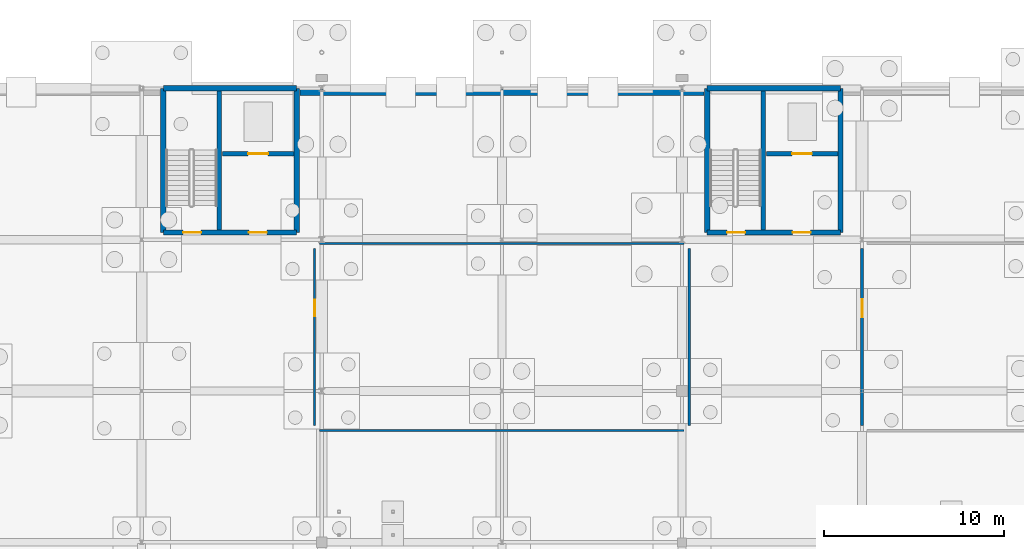
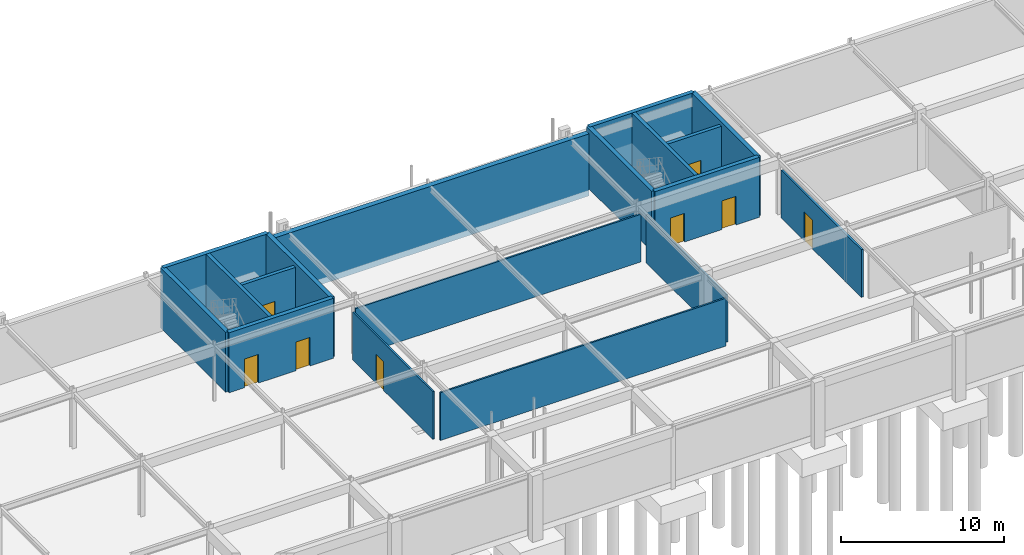
# One storey, part 65 of 75: 18 walls, 8 doors, 8 openings.
"""IFC4 building model written with IfcOpenShell, lengths in metres."""

from ifc_helpers import new_model, si_unit, derived_unit, direction, frame, frame_2d, origin, place, context, subcontext, project, spatial, rectangle, extrude, material, layer, layer_set, type_object, element, fill, save


model = new_model("IFC4")

# Units and contexts
model_context = context("Model", 3, precision=1e-05, world=origin(), true_north=direction((0.0, 1.0)))
body_context = subcontext(model_context, "Body", "Model", "MODEL_VIEW")
ifc_project = project(units=[si_unit("LENGTHUNIT", "METRE"), si_unit("AREAUNIT", "SQUARE_METRE"), si_unit("VOLUMEUNIT", "CUBIC_METRE"), si_unit("PLANEANGLEUNIT", "RADIAN"), si_unit("MASSUNIT", "GRAM", prefix="KILO"), derived_unit("THERMALTRANSMITTANCEUNIT", [(si_unit("POWERUNIT", "WATT"), 1), (si_unit("LENGTHUNIT", "METRE"), -2), (si_unit("THERMODYNAMICTEMPERATUREUNIT", "KELVIN"), -1)])], contexts=[model_context])

# Site, building, storey
site_placement = place(None, origin())
site = spatial("IfcSite", under=ifc_project, at=site_placement, CompositionType="ELEMENT")
building_placement = place(site_placement, origin())
building = spatial("IfcBuilding", under=site, at=building_placement, Name="Cinnabar Yard Market Hall", CompositionType="ELEMENT")
storey_placement = place(building_placement, frame((0.0, 0.0, -4.5)))
storey = spatial("IfcBuildingStorey", under=building, at=storey_placement, Name="B1", CompositionType="ELEMENT", Elevation=-4.5)

# Walls
ifc_material_1 = material(Name="Acoustic steel-stud plasterboard", Category="steel")
ifc_layer_1 = layer(ifc_material_1, 0.1201171875)
ifc_layer_set_1 = layer_set([ifc_layer_1], Name="Acoustic steel-stud plasterboard")
wall_type_1 = type_object("IfcWallType", Name="WL-PT120", PredefinedType="PARTITIONING", material=ifc_layer_set_1)
wall_1_placement = place(storey_placement, frame((105.8798828125, 119.0, 0.0), z_axis=(0.0, 0.0, 1.0), x_axis=(1.0, 0.0, 0.0)))
element("IfcWall", 1, at=wall_1_placement, inside=storey, type_object=wall_type_1, Name="Partition Culinary School Bulk Dry Store south", PredefinedType="PARTITIONING", context=body_context, shape_type="SweptSolid", body=[
    extrude(rectangle(XDim=20.240234375, YDim=0.1201171875, at=frame_2d((10.1201171875, 0.0), x_axis=(1.0, 0.0))), origin(), (0.0, 0.0, 1.0), 3.580078125),
])
wall_2_placement = place(storey_placement, frame((126.39990234375, 119.280029296875, 0.0), z_axis=(0.0, 0.0, 1.0), x_axis=(0.0, 1.0, 0.0)))
element("IfcWall", 2, at=wall_2_placement, inside=storey, type_object=wall_type_1, Name="Partition Culinary School Bulk Dry Store east", PredefinedType="PARTITIONING", context=body_context, shape_type="SweptSolid", body=[
    extrude(rectangle(XDim=9.840087890625, YDim=0.1201171875, at=frame_2d((4.919921875, 0.0), x_axis=(1.0, 0.0))), origin(), (0.0, 0.0, 1.0), 3.580078125),
])
wall_3_placement = place(storey_placement, frame((126.1201171875, 129.39990234375, 0.0), z_axis=(0.0, 0.0, 1.0), x_axis=(-1.0, 0.0, 0.0)))
element("IfcWall", 3, at=wall_3_placement, inside=storey, type_object=wall_type_1, Name="Partition Culinary School Bulk Dry Store north", PredefinedType="PARTITIONING", context=body_context, shape_type="SweptSolid", body=[
    extrude(rectangle(XDim=20.240234375, YDim=0.1201171875, at=frame_2d((10.1201171875, 0.0), x_axis=(1.0, 0.0))), origin(), (0.0, 0.0, 1.0), 3.580078125),
])

# Wall, opening, door
wall_4_placement = place(storey_placement, frame((105.60009765625, 129.1201171875, 0.0), z_axis=(0.0, 0.0, 1.0), x_axis=(0.0, -1.0, 0.0)))
wall_4 = element("IfcWall", 4, at=wall_4_placement, inside=storey, type_object=wall_type_1, Name="Partition Culinary School Bulk Dry Store west", PredefinedType="PARTITIONING", context=body_context, shape_type="SweptSolid", body=[
    extrude(rectangle(XDim=9.840087890625, YDim=0.1201171875, at=frame_2d((4.919921875, 0.0), x_axis=(1.0, 0.0))), origin(), (0.0, 0.0, 1.0), 3.580078125),
])
opening_1_placement = place(wall_4_placement, frame((2.8544921875, 0.0, 0.0)))
opening_1 = element("IfcOpeningElement", 5, at=opening_1_placement, cuts=wall_4, Name="Opening ID-109", PredefinedType="OPENING", context=body_context, shape_type="SweptSolid", body=[
    extrude(rectangle(XDim=0.919921875, YDim=2.14990234375, at=frame_2d((0.4599609375, 1.074951171875), x_axis=(1.0, 0.0))), frame((0.0, 0.070068359375, 0.0), z_axis=(0.0, -1.0, 0.0), x_axis=(1.0, 0.0, 0.0)), (0.0, 0.0, 1.0), 0.14013671875),
])
ifc_material_2 = material(Name="Solid-core spotted gum timber", Category="wood")
door_type_1 = type_object("IfcDoorType", Name="DR-D07", OperationType="NOTDEFINED", PredefinedType="DOOR", material=ifc_material_2)
door_1_placement = place(opening_1_placement, origin())
door_1 = element("IfcDoor", 6, at=door_1_placement, inside=storey, type_object=door_type_1, Name="Interior Door ID-109", OperationType="SINGLE_SWING_RIGHT", OverallHeight=2.14990234375, OverallWidth=0.919921875, PredefinedType="DOOR", context=body_context, shape_type="SweptSolid", body=[
    extrude(rectangle(XDim=0.919921875, YDim=2.14990234375, at=frame_2d((0.4599609375, 1.074951171875), x_axis=(1.0, 0.0))), frame((0.0, 0.02490234375, 0.0), z_axis=(0.0, -1.0, 0.0), x_axis=(1.0, 0.0, 0.0)), (0.0, 0.0, 1.0), 0.050048828125),
])
fill(opening_1, door_1)

ifc_material_3 = material(Name="Fire-rated steel-stud plasterboard", Category="steel")
ifc_layer_2 = layer(ifc_material_3, 0.14990234375)
ifc_layer_set_2 = layer_set([ifc_layer_2], Name="Fire-rated steel-stud plasterboard")
wall_type_2 = type_object("IfcWallType", Name="WL-PT150", PredefinedType="PARTITIONING", material=ifc_layer_set_2)
wall_5_placement = place(storey_placement, frame((136.0, 129.1201171875, 0.0), z_axis=(0.0, 0.0, 1.0), x_axis=(0.0, -1.0, 0.0)))
wall_5 = element("IfcWall", 7, at=wall_5_placement, inside=storey, type_object=wall_type_2, Name="Partition Artisan Cure and Fermentation Cellar west", PredefinedType="PARTITIONING", context=body_context, shape_type="SweptSolid", body=[
    extrude(rectangle(XDim=9.840087890625, YDim=0.14990234375, at=frame_2d((4.919921875, 0.0), x_axis=(1.0, 0.0))), origin(), (0.0, 0.0, 1.0), 3.580078125),
])
opening_2_placement = place(wall_5_placement, frame((2.828857421875, 0.0, 0.0)))
opening_2 = element("IfcOpeningElement", 8, at=opening_2_placement, cuts=wall_5, Name="Opening ID-110", PredefinedType="OPENING", context=body_context, shape_type="SweptSolid", body=[
    extrude(rectangle(XDim=1.0, YDim=2.14990234375, at=frame_2d((0.5, 1.074951171875), x_axis=(1.0, 0.0))), frame((0.0, 0.0849609375, 0.0), z_axis=(0.0, -1.0, 0.0), x_axis=(1.0, 0.0, 0.0)), (0.0, 0.0, 1.0), 0.169921875),
])
door_type_2 = type_object("IfcDoorType", Name="DR-D05", OperationType="NOTDEFINED", PredefinedType="DOOR", material=ifc_material_2)
door_2_placement = place(opening_2_placement, origin())
door_2 = element("IfcDoor", 9, at=door_2_placement, inside=storey, type_object=door_type_2, Name="Interior Door ID-110", OperationType="SINGLE_SWING_LEFT", OverallHeight=2.14990234375, OverallWidth=1.0, PredefinedType="DOOR", context=body_context, shape_type="SweptSolid", body=[
    extrude(rectangle(XDim=1.0, YDim=2.14990234375, at=frame_2d((0.5, 1.074951171875), x_axis=(1.0, 0.0))), frame((0.0, 0.02490234375, 0.0), z_axis=(0.0, -1.0, 0.0), x_axis=(1.0, 0.0, 0.0)), (0.0, 0.0, 1.0), 0.050048828125),
])
fill(opening_2, door_2)

# Walls
ifc_material_4 = material(Name="Concrete 40 MPa", Category="concrete")
ifc_layer_3 = layer(ifc_material_4, 0.300048828125)
ifc_layer_set_3 = layer_set([ifc_layer_3], Name="Concrete 40 MPa")
wall_type_3 = type_object("IfcWallType", Name="WL-W-CORE", PredefinedType="SHEAR", material=ifc_layer_set_3)
for number, where, z_axis, x_axis, name in (
    (10, (97.199951171875, 138.0, 0.0), (0.0, 0.0, 1.0), (0.0, -1.0, 0.0), "Core C5 West Shear Wall B1"),
    (11, (104.60009765625, 130.0, 0.0), (0.0, 0.0, 1.0), (0.0, 1.0, 0.0), "Core C5 East Shear Wall B1"),
):
    element("IfcWall", number, at=place(storey_placement, frame(where, z_axis=z_axis, x_axis=x_axis)), inside=storey, type_object=wall_type_3, Name=name, PredefinedType="SHEAR", context=body_context, shape_type="SweptSolid", body=[
        extrude(rectangle(XDim=8.0, YDim=0.300048828125, at=frame_2d((4.0, 0.0), x_axis=(1.0, 0.0))), origin(), (0.0, 0.0, 1.0), 4.5),
    ])

# Wall, openings, doors
wall_6_placement = place(storey_placement, frame((97.199951171875, 130.0, 0.0), z_axis=(0.0, 0.0, 1.0), x_axis=(1.0, 0.0, 0.0)))
wall_6 = element("IfcWall", 12, at=wall_6_placement, inside=storey, type_object=wall_type_3, Name="Core C5 South Shear Wall B1", PredefinedType="SHEAR", context=body_context, shape_type="SweptSolid", body=[
    extrude(rectangle(XDim=7.400146484375, YDim=0.300048828125, at=frame_2d((3.7001953125, 0.0), x_axis=(1.0, 0.0))), origin(), (0.0, 0.0, 1.0), 4.5),
])
opening_3_placement = place(wall_6_placement, frame((1.10009765625, 0.0, 0.0)))
opening_3 = element("IfcOpeningElement", 13, at=opening_3_placement, cuts=wall_6, Name="Opening CD-029", PredefinedType="OPENING", context=body_context, shape_type="SweptSolid", body=[
    extrude(rectangle(XDim=1.0, YDim=2.14990234375, at=frame_2d((0.5, 1.074951171875), x_axis=(1.0, 0.0))), frame((0.0, 0.159912109375, 0.0), z_axis=(0.0, -1.0, 0.0), x_axis=(1.0, 0.0, 0.0)), (0.0, 0.0, 1.0), 0.320068359375),
])
opening_4_placement = place(wall_6_placement, frame((4.75, 0.0, 0.0)))
opening_4 = element("IfcOpeningElement", 14, at=opening_4_placement, cuts=wall_6, Name="Opening CD-030", PredefinedType="OPENING", context=body_context, shape_type="SweptSolid", body=[
    extrude(rectangle(XDim=1.0, YDim=2.14990234375, at=frame_2d((0.5, 1.074951171875), x_axis=(1.0, 0.0))), frame((0.0, 0.159912109375, 0.0), z_axis=(0.0, -1.0, 0.0), x_axis=(1.0, 0.0, 0.0)), (0.0, 0.0, 1.0), 0.320068359375),
])
door_3_placement = place(opening_3_placement, origin())
door_3 = element("IfcDoor", 15, at=door_3_placement, inside=storey, type_object=door_type_2, Name="Core Door CD-029", OperationType="SINGLE_SWING_RIGHT", OverallHeight=2.14990234375, OverallWidth=1.0, PredefinedType="DOOR", context=body_context, shape_type="SweptSolid", body=[
    extrude(rectangle(XDim=1.0, YDim=2.14990234375, at=frame_2d((0.5, 1.074951171875), x_axis=(1.0, 0.0))), frame((0.0, 0.02490234375, 0.0), z_axis=(0.0, -1.0, 0.0), x_axis=(1.0, 0.0, 0.0)), (0.0, 0.0, 1.0), 0.050048828125),
])
fill(opening_3, door_3)
door_4_placement = place(opening_4_placement, origin())
door_4 = element("IfcDoor", 16, at=door_4_placement, inside=storey, type_object=door_type_2, Name="Core Door CD-030", OperationType="SINGLE_SWING_LEFT", OverallHeight=2.14990234375, OverallWidth=1.0, PredefinedType="DOOR", context=body_context, shape_type="SweptSolid", body=[
    extrude(rectangle(XDim=1.0, YDim=2.14990234375, at=frame_2d((0.5, 1.074951171875), x_axis=(1.0, 0.0))), frame((0.0, 0.02490234375, 0.0), z_axis=(0.0, -1.0, 0.0), x_axis=(1.0, 0.0, 0.0)), (0.0, 0.0, 1.0), 0.050048828125),
])
fill(opening_4, door_4)

# Walls
wall_7_placement = place(storey_placement, frame((104.60009765625, 138.0, 0.0), z_axis=(0.0, 0.0, 1.0), x_axis=(-1.0, 0.0, 0.0)))
element("IfcWall", 17, at=wall_7_placement, inside=storey, type_object=wall_type_3, Name="Core C5 North Shear Wall B1", PredefinedType="SHEAR", context=body_context, shape_type="SweptSolid", body=[
    extrude(rectangle(XDim=7.400146484375, YDim=0.300048828125, at=frame_2d((3.7001953125, 0.0), x_axis=(1.0, 0.0))), origin(), (0.0, 0.0, 1.0), 4.5),
])
for number, where, z_axis, x_axis, name in (
    (18, (127.39990234375, 138.0, 0.0), (0.0, 0.0, 1.0), (0.0, -1.0, 0.0), "Core C6 West Shear Wall B1"),
    (19, (134.800048828125, 130.0, 0.0), (0.0, 0.0, 1.0), (0.0, 1.0, 0.0), "Core C6 East Shear Wall B1"),
):
    element("IfcWall", number, at=place(storey_placement, frame(where, z_axis=z_axis, x_axis=x_axis)), inside=storey, type_object=wall_type_3, Name=name, PredefinedType="SHEAR", context=body_context, shape_type="SweptSolid", body=[
        extrude(rectangle(XDim=8.0, YDim=0.300048828125, at=frame_2d((4.0, 0.0), x_axis=(1.0, 0.0))), origin(), (0.0, 0.0, 1.0), 4.5),
    ])

# Wall, openings, doors
wall_8_placement = place(storey_placement, frame((127.39990234375, 130.0, 0.0), z_axis=(0.0, 0.0, 1.0), x_axis=(1.0, 0.0, 0.0)))
wall_8 = element("IfcWall", 20, at=wall_8_placement, inside=storey, type_object=wall_type_3, Name="Core C6 South Shear Wall B1", PredefinedType="SHEAR", context=body_context, shape_type="SweptSolid", body=[
    extrude(rectangle(XDim=7.400146484375, YDim=0.300048828125, at=frame_2d((3.7001953125, 0.0), x_axis=(1.0, 0.0))), origin(), (0.0, 0.0, 1.0), 4.5),
])
opening_5_placement = place(wall_8_placement, frame((1.10009765625, 0.0, 0.0)))
opening_5 = element("IfcOpeningElement", 21, at=opening_5_placement, cuts=wall_8, Name="Opening CD-041", PredefinedType="OPENING", context=body_context, shape_type="SweptSolid", body=[
    extrude(rectangle(XDim=1.0, YDim=2.14990234375, at=frame_2d((0.5, 1.074951171875), x_axis=(1.0, 0.0))), frame((0.0, 0.159912109375, 0.0), z_axis=(0.0, -1.0, 0.0), x_axis=(1.0, 0.0, 0.0)), (0.0, 0.0, 1.0), 0.320068359375),
])
opening_6_placement = place(wall_8_placement, frame((4.75, 0.0, 0.0)))
opening_6 = element("IfcOpeningElement", 22, at=opening_6_placement, cuts=wall_8, Name="Opening CD-042", PredefinedType="OPENING", context=body_context, shape_type="SweptSolid", body=[
    extrude(rectangle(XDim=1.0, YDim=2.14990234375, at=frame_2d((0.5, 1.074951171875), x_axis=(1.0, 0.0))), frame((0.0, 0.159912109375, 0.0), z_axis=(0.0, -1.0, 0.0), x_axis=(1.0, 0.0, 0.0)), (0.0, 0.0, 1.0), 0.320068359375),
])
door_5_placement = place(opening_5_placement, origin())
door_5 = element("IfcDoor", 23, at=door_5_placement, inside=storey, type_object=door_type_2, Name="Core Door CD-041", OperationType="SINGLE_SWING_RIGHT", OverallHeight=2.14990234375, OverallWidth=1.0, PredefinedType="DOOR", context=body_context, shape_type="SweptSolid", body=[
    extrude(rectangle(XDim=1.0, YDim=2.14990234375, at=frame_2d((0.5, 1.074951171875), x_axis=(1.0, 0.0))), frame((0.0, 0.02490234375, 0.0), z_axis=(0.0, -1.0, 0.0), x_axis=(1.0, 0.0, 0.0)), (0.0, 0.0, 1.0), 0.050048828125),
])
fill(opening_5, door_5)
door_6_placement = place(opening_6_placement, origin())
door_6 = element("IfcDoor", 24, at=door_6_placement, inside=storey, type_object=door_type_2, Name="Core Door CD-042", OperationType="SINGLE_SWING_LEFT", OverallHeight=2.14990234375, OverallWidth=1.0, PredefinedType="DOOR", context=body_context, shape_type="SweptSolid", body=[
    extrude(rectangle(XDim=1.0, YDim=2.14990234375, at=frame_2d((0.5, 1.074951171875), x_axis=(1.0, 0.0))), frame((0.0, 0.02490234375, 0.0), z_axis=(0.0, -1.0, 0.0), x_axis=(1.0, 0.0, 0.0)), (0.0, 0.0, 1.0), 0.050048828125),
])
fill(opening_6, door_6)

# Walls
wall_9_placement = place(storey_placement, frame((134.800048828125, 138.0, 0.0), z_axis=(0.0, 0.0, 1.0), x_axis=(-1.0, 0.0, 0.0)))
element("IfcWall", 25, at=wall_9_placement, inside=storey, type_object=wall_type_3, Name="Core C6 North Shear Wall B1", PredefinedType="SHEAR", context=body_context, shape_type="SweptSolid", body=[
    extrude(rectangle(XDim=7.400146484375, YDim=0.300048828125, at=frame_2d((3.7001953125, 0.0), x_axis=(1.0, 0.0))), origin(), (0.0, 0.0, 1.0), 4.5),
])
ifc_layer_4 = layer(ifc_material_4, 0.360107421875)
ifc_layer_set_4 = layer_set([ifc_layer_4], Name="Concrete 40 MPa")
wall_type_4 = type_object("IfcWallType", Name="WL-W-RET2E", PredefinedType="USERDEFINED", material=ifc_layer_set_4)
wall_10_placement = place(storey_placement, frame((104.780029296875, 137.800048828125, -0.449951171875), z_axis=(0.0, 0.0, 1.0), x_axis=(1.0, 0.0, 0.0)))
element("IfcWall", 26, at=wall_10_placement, inside=storey, type_object=wall_type_4, Name="Retaining Plinth Wall B1-RET-V3N2", ObjectType="RETAINING WALL", PredefinedType="USERDEFINED", context=body_context, shape_type="SweptSolid", body=[
    extrude(rectangle(XDim=22.43994140625, YDim=0.360107421875, at=frame_2d((11.219970703125, 0.0), x_axis=(1.0, 0.0))), origin(), (0.0, 0.0, 1.0), 4.64990234375),
])
ifc_layer_5 = layer(ifc_material_4, 0.25)
ifc_layer_set_5 = layer_set([ifc_layer_5], Name="Concrete 40 MPa")
wall_type_5 = type_object("IfcWallType", Name="WL-W-SHAFT", PredefinedType="SHEAR", material=ifc_layer_set_5)
wall_11_placement = place(storey_placement, frame((100.31494140625, 130.14990234375, 0.0), z_axis=(0.0, 0.0, 1.0), x_axis=(0.0, 1.0, 0.0)))
element("IfcWall", 27, at=wall_11_placement, inside=storey, type_object=wall_type_5, Name="Core C5 Shaft Divider B1", PredefinedType="SHEAR", context=body_context, shape_type="SweptSolid", body=[
    extrude(rectangle(XDim=7.7001953125, YDim=0.25, at=frame_2d((3.85009765625, 0.0), x_axis=(1.0, 0.0))), origin(), (0.0, 0.0, 1.0), 4.5),
])

# Wall, opening, door
wall_12_placement = place(storey_placement, frame((100.47998046875, 134.3798828125, 0.0), z_axis=(0.0, 0.0, 1.0), x_axis=(1.0, 0.0, 0.0)))
wall_12 = element("IfcWall", 28, at=wall_12_placement, inside=storey, type_object=wall_type_5, Name="Core C5 Lift Front Wall B1", PredefinedType="SHEAR", context=body_context, shape_type="SweptSolid", body=[
    extrude(rectangle(XDim=3.969970703125, YDim=0.25, at=frame_2d((1.98486328125, 0.0), x_axis=(1.0, 0.0))), origin(), (0.0, 0.0, 1.0), 4.199951171875),
])
opening_7_placement = place(wall_12_placement, frame((1.43505859375, 0.0, 0.0)))
opening_7 = element("IfcOpeningElement", 29, at=opening_7_placement, cuts=wall_12, Name="Opening LD-LF-02-B1", PredefinedType="OPENING", context=body_context, shape_type="SweptSolid", body=[
    extrude(rectangle(XDim=1.10009765625, YDim=2.14990234375, at=frame_2d((0.550048828125, 1.074951171875), x_axis=(1.0, 0.0))), frame((0.0, 0.135009765625, 0.0), z_axis=(0.0, -1.0, 0.0), x_axis=(1.0, 0.0, 0.0)), (0.0, 0.0, 1.0), 0.27001953125),
])
ifc_material_5 = material(Name="Brushed stainless steel landing door", Category="steel")
door_type_3 = type_object("IfcDoorType", Name="DR-LD01", OperationType="NOTDEFINED", PredefinedType="DOOR", material=ifc_material_5)
door_7_placement = place(opening_7_placement, origin())
door_7 = element("IfcDoor", 30, at=door_7_placement, inside=storey, type_object=door_type_3, Name="Lift Landing Door LD-LF-02-B1", OperationType="SLIDING_TO_LEFT", OverallHeight=2.14990234375, OverallWidth=1.10009765625, PredefinedType="DOOR", context=body_context, shape_type="SweptSolid", body=[
    extrude(rectangle(XDim=1.10009765625, YDim=2.14990234375, at=frame_2d((0.550048828125, 1.074951171875), x_axis=(1.0, 0.0))), frame((0.0, 0.02490234375, 0.0), z_axis=(0.0, -1.0, 0.0), x_axis=(1.0, 0.0, 0.0)), (0.0, 0.0, 1.0), 0.050048828125),
])
fill(opening_7, door_7)

# Wall
wall_13_placement = place(storey_placement, frame((130.514892578125, 130.14990234375, 0.0), z_axis=(0.0, 0.0, 1.0), x_axis=(0.0, 1.0, 0.0)))
element("IfcWall", 31, at=wall_13_placement, inside=storey, type_object=wall_type_5, Name="Core C6 Shaft Divider B1", PredefinedType="SHEAR", context=body_context, shape_type="SweptSolid", body=[
    extrude(rectangle(XDim=7.7001953125, YDim=0.25, at=frame_2d((3.85009765625, 0.0), x_axis=(1.0, 0.0))), origin(), (0.0, 0.0, 1.0), 4.5),
])

# Wall, opening, door
wall_14_placement = place(storey_placement, frame((130.679931640625, 134.3798828125, 0.0), z_axis=(0.0, 0.0, 1.0), x_axis=(1.0, 0.0, 0.0)))
wall_14 = element("IfcWall", 32, at=wall_14_placement, inside=storey, type_object=wall_type_5, Name="Core C6 Lift Front Wall B1", PredefinedType="SHEAR", context=body_context, shape_type="SweptSolid", body=[
    extrude(rectangle(XDim=3.969970703125, YDim=0.25, at=frame_2d((1.98486328125, 0.0), x_axis=(1.0, 0.0))), origin(), (0.0, 0.0, 1.0), 4.199951171875),
])
opening_8_placement = place(wall_14_placement, frame((1.43505859375, 0.0, 0.0)))
opening_8 = element("IfcOpeningElement", 33, at=opening_8_placement, cuts=wall_14, Name="Opening LD-LP-04-B1", PredefinedType="OPENING", context=body_context, shape_type="SweptSolid", body=[
    extrude(rectangle(XDim=1.10009765625, YDim=2.14990234375, at=frame_2d((0.550048828125, 1.074951171875), x_axis=(1.0, 0.0))), frame((0.0, 0.135009765625, 0.0), z_axis=(0.0, -1.0, 0.0), x_axis=(1.0, 0.0, 0.0)), (0.0, 0.0, 1.0), 0.27001953125),
])
door_8_placement = place(opening_8_placement, origin())
door_8 = element("IfcDoor", 34, at=door_8_placement, inside=storey, type_object=door_type_3, Name="Lift Landing Door LD-LP-04-B1", OperationType="SLIDING_TO_LEFT", OverallHeight=2.14990234375, OverallWidth=1.10009765625, PredefinedType="DOOR", context=body_context, shape_type="SweptSolid", body=[
    extrude(rectangle(XDim=1.10009765625, YDim=2.14990234375, at=frame_2d((0.550048828125, 1.074951171875), x_axis=(1.0, 0.0))), frame((0.0, 0.02490234375, 0.0), z_axis=(0.0, -1.0, 0.0), x_axis=(1.0, 0.0, 0.0)), (0.0, 0.0, 1.0), 0.050048828125),
])
fill(opening_8, door_8)

save(model, "model.ifc")
